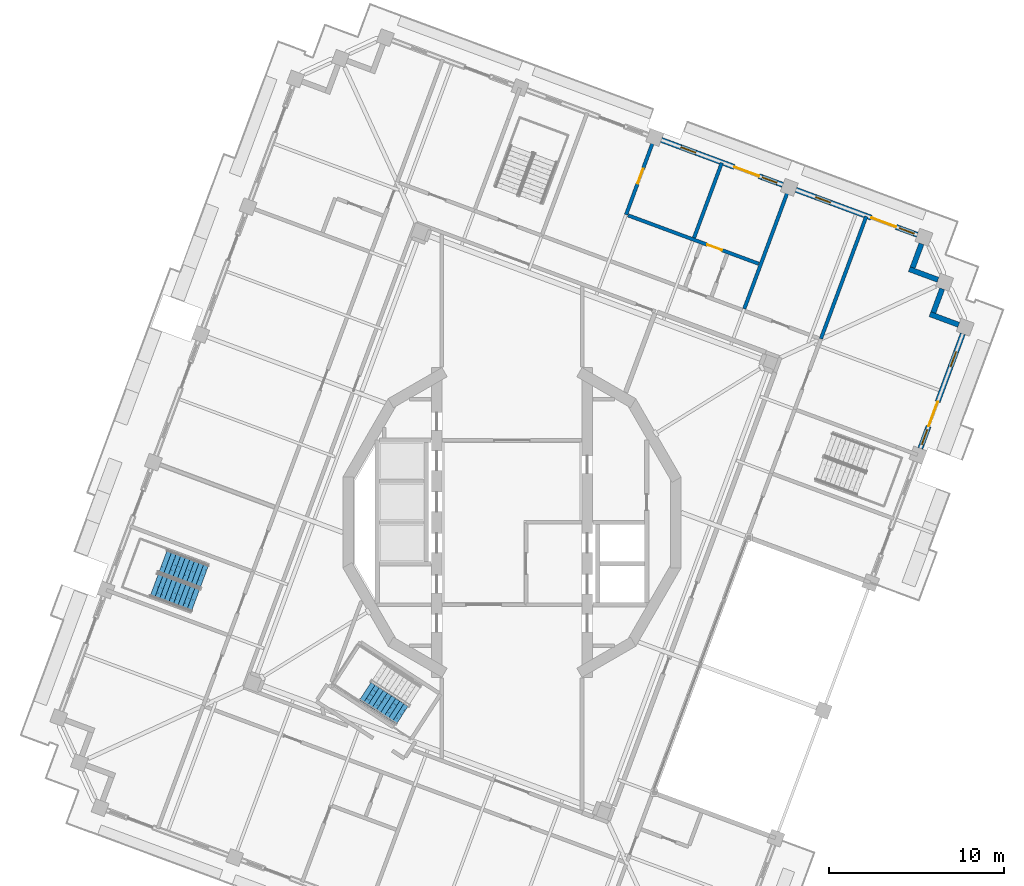
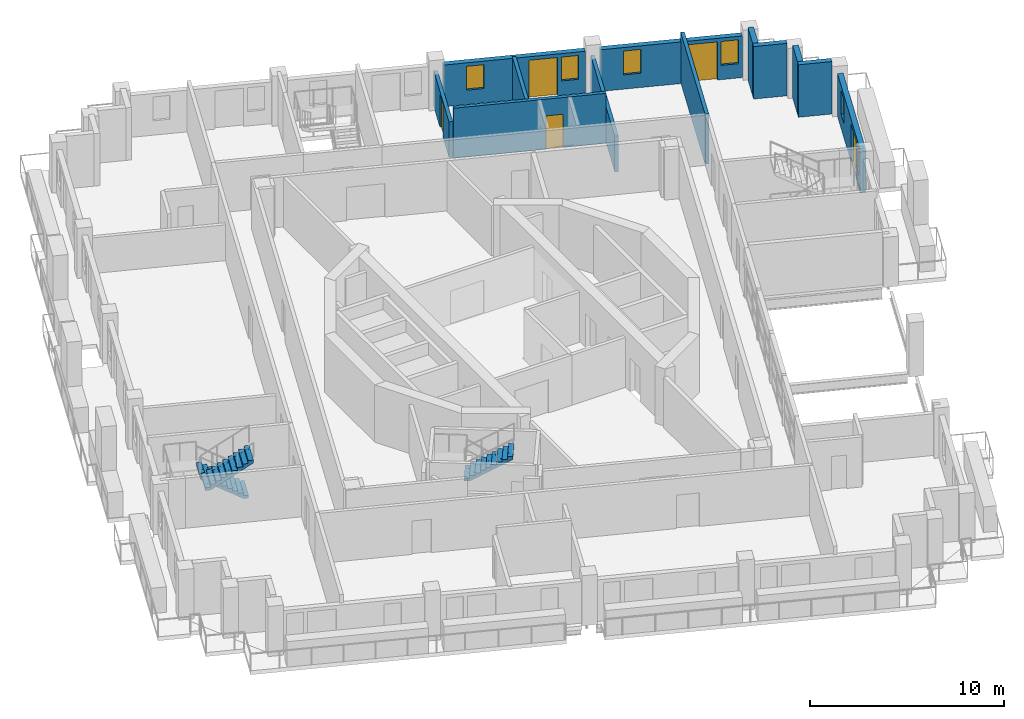
# One storey, part 10 of 19: 12 walls, 6 windows, 5 doors, 3 stair flights, 11 openings, 2 elements without a shape of their own.
"""IFC4 building model written with IfcOpenShell, lengths in metres."""

from ifc_helpers import new_model, si_unit, direction, frame, frame_2d, origin, place, context, subcontext, project, spatial, polyline, rectangle, outline, extrude, material, layer, layer_set, type_object, element, fill, aggregate, save


model = new_model("IFC4")

# Units and contexts
model_context = context("Model", 3, precision=1e-05, world=origin(), true_north=direction((0.0, 1.0)))
body_context = subcontext(model_context, "Body", "Model", "MODEL_VIEW")
ifc_project = project(units=[si_unit("LENGTHUNIT", "METRE"), si_unit("AREAUNIT", "SQUARE_METRE"), si_unit("VOLUMEUNIT", "CUBIC_METRE"), si_unit("PLANEANGLEUNIT", "RADIAN"), si_unit("MASSUNIT", "GRAM", prefix="KILO")], contexts=[model_context])

# Site, building, storey
site_placement = place(None, origin())
site = spatial("IfcSite", under=ifc_project, at=site_placement, CompositionType="ELEMENT")
building_placement = place(site_placement, origin())
building = spatial("IfcBuilding", under=site, at=building_placement, Name="Cantera Rosa Tower", CompositionType="ELEMENT")
storey_placement = place(building_placement, frame((0.0, 0.0, 342.10009765625)))
storey = spatial("IfcBuildingStorey", under=building, at=storey_placement, Name="L77", CompositionType="ELEMENT", Elevation=342.10009765625)

# Walls
ifc_material_1 = material(Name="Hollow clay masonry with cantera stone cladding", Category="masonry")
ifc_layer_1 = layer(ifc_material_1, 0.300048828125)
ifc_layer_set_1 = layer_set([ifc_layer_1], Name="EW-LOGGIA 300")
wall_type_1 = type_object("IfcWallType", Name="EW-LOGGIA 300", PredefinedType="SOLIDWALL", material=ifc_layer_set_1)
wall_1_placement = place(storey_placement, frame((25.51220703125, 11.288330078125, 0.0), z_axis=(0.0, 0.0, 1.0), x_axis=(-0.937669639538, 0.34752790836, 0.0)))
element("IfcWall", 1, at=wall_1_placement, inside=storey, type_object=wall_type_1, Name="EN-L77-W25a", PredefinedType="SOLIDWALL", context=body_context, shape_type="SweptSolid", body=[
    extrude(rectangle(XDim=1.75, YDim=0.300048828125, at=frame_2d((0.875, 0.0))), origin(), (0.0, 0.0, 1.0), 3.2998046875),
])
wall_2_placement = place(storey_placement, frame((24.06396484375, 11.985107421875, 0.0), z_axis=(0.0, 0.0, 1.0), x_axis=(0.347522732201, 0.937671557958, 0.0)))
element("IfcWall", 2, at=wall_2_placement, inside=storey, type_object=wall_type_1, Name="EN-L77-W25b", PredefinedType="SOLIDWALL", context=body_context, shape_type="SweptSolid", body=[
    extrude(rectangle(XDim=1.449951171875, YDim=0.300048828125, at=frame_2d((0.72509765625, 0.0))), origin(), (0.0, 0.0, 1.0), 3.2998046875),
])
wall_3_placement = place(storey_placement, frame((24.331787109375, 13.858642578125, 0.0), z_axis=(0.0, 0.0, 1.0), x_axis=(-0.937669639538, 0.34752790836, 0.0)))
element("IfcWall", 3, at=wall_3_placement, inside=storey, type_object=wall_type_1, Name="EN-L77-W26a", PredefinedType="SOLIDWALL", context=body_context, shape_type="SweptSolid", body=[
    extrude(rectangle(XDim=1.75, YDim=0.300048828125, at=frame_2d((0.875, 0.0))), origin(), (0.0, 0.0, 1.0), 3.2998046875),
])
wall_4_placement = place(storey_placement, frame((22.883544921875, 14.555419921875, 0.0), z_axis=(0.0, 0.0, 1.0), x_axis=(0.347522732201, 0.937671557958, 0.0)))
element("IfcWall", 4, at=wall_4_placement, inside=storey, type_object=wall_type_1, Name="EN-L77-W26b", PredefinedType="SOLIDWALL", context=body_context, shape_type="SweptSolid", body=[
    extrude(rectangle(XDim=1.449951171875, YDim=0.300048828125, at=frame_2d((0.72509765625, 0.0))), origin(), (0.0, 0.0, 1.0), 3.2998046875),
])

# Wall, openings, windows, door
ifc_material_2 = material(Name="Hollow clay masonry with cantera stone cladding", Category="masonry")
ifc_layer_2 = layer(ifc_material_2, 0.300048828125)
ifc_layer_set_2 = layer_set([ifc_layer_2], Name="EW-LOGGIA 300 H2620")
wall_type_2 = type_object("IfcWallType", Name="EW-LOGGIA 300 H2620", PredefinedType="SOLIDWALL", material=ifc_layer_set_2)
wall_5_placement = place(storey_placement, frame((23.1513671875, 16.428955078125, 0.0), z_axis=(0.0, 0.0, 1.0), x_axis=(-0.937676706507, 0.347508840281, 0.0)))
wall_5 = element("IfcWall", 5, at=wall_5_placement, inside=storey, type_object=wall_type_2, Name="EN-L77-W01", PredefinedType="SOLIDWALL", context=body_context, shape_type="SweptSolid", body=[
    extrude(rectangle(XDim=7.39990234375, YDim=0.300048828125, at=frame_2d((3.699951171875, 0.0))), origin(), (0.0, 0.0, 1.0), 2.619873046875),
])
opening_1_placement = place(wall_5_placement, frame((0.199951171875, 0.0, 0.89990234375)))
opening_1 = element("IfcOpeningElement", 6, at=opening_1_placement, cuts=wall_5, Name="Opening L77-W01", PredefinedType="OPENING", context=body_context, shape_type="SweptSolid", body=[
    extrude(rectangle(XDim=0.89990234375, YDim=1.5, at=frame_2d((0.449951171875, 0.75))), frame((0.0, 0.159912109375, 0.0), z_axis=(0.0, -1.0, 0.0), x_axis=(1.0, 0.0, 0.0)), (0.0, 0.0, 1.0), 0.320068359375),
])
opening_2_placement = place(wall_5_placement, frame((1.300048828125, 0.0, 0.0)))
opening_2 = element("IfcOpeningElement", 7, at=opening_2_placement, cuts=wall_5, Name="Opening L77-TD02", PredefinedType="OPENING", context=body_context, shape_type="SweptSolid", body=[
    extrude(rectangle(XDim=1.5, YDim=2.39990234375, at=frame_2d((0.75, 1.199951171875))), frame((0.0, 0.159912109375, 0.0), z_axis=(0.0, -1.0, 0.0), x_axis=(1.0, 0.0, 0.0)), (0.0, 0.0, 1.0), 0.320068359375),
])
opening_3_placement = place(wall_5_placement, frame((5.300048828125, 0.0, 0.89990234375)))
opening_3 = element("IfcOpeningElement", 8, at=opening_3_placement, cuts=wall_5, Name="Opening L77-W03", PredefinedType="OPENING", context=body_context, shape_type="SweptSolid", body=[
    extrude(rectangle(XDim=0.89990234375, YDim=1.5, at=frame_2d((0.449951171875, 0.75))), frame((0.0, 0.159912109375, 0.0), z_axis=(0.0, -1.0, 0.0), x_axis=(1.0, 0.0, 0.0)), (0.0, 0.0, 1.0), 0.320068359375),
])
ifc_material_3 = material(Name="Aluminium frame with clear glass", Category="aluminium")
window_type = type_object("IfcWindowType", Name="Residential window 900x1500", PartitioningType="SINGLE_PANEL", PredefinedType="WINDOW", material=ifc_material_3)
window_1_placement = place(opening_1_placement, origin())
window_1 = element("IfcWindow", 9, at=window_1_placement, inside=storey, type_object=window_type, Name="WINDOW L77-W01", OverallHeight=1.5, OverallWidth=0.89990234375, PartitioningType="SINGLE_PANEL", PredefinedType="WINDOW", context=body_context, shape_type="SweptSolid", body=[
    extrude(rectangle(XDim=0.89990234375, YDim=1.5, at=frame_2d((0.449951171875, 0.75))), frame((0.0, 0.030029296875, 0.0), z_axis=(0.0, -1.0, 0.0), x_axis=(1.0, 0.0, 0.0)), (0.0, 0.0, 1.0), 0.06005859375),
])
fill(opening_1, window_1)
window_2_placement = place(opening_3_placement, origin())
window_2 = element("IfcWindow", 10, at=window_2_placement, inside=storey, type_object=window_type, Name="WINDOW L77-W03", OverallHeight=1.5, OverallWidth=0.89990234375, PartitioningType="SINGLE_PANEL", PredefinedType="WINDOW", context=body_context, shape_type="SweptSolid", body=[
    extrude(rectangle(XDim=0.89990234375, YDim=1.5, at=frame_2d((0.449951171875, 0.75))), frame((0.0, 0.030029296875, 0.0), z_axis=(0.0, -1.0, 0.0), x_axis=(1.0, 0.0, 0.0)), (0.0, 0.0, 1.0), 0.06005859375),
])
fill(opening_3, window_2)
ifc_material_4 = material(Name="Aluminium frame with clear glass", Category="aluminium")
door_type_1 = type_object("IfcDoorType", Name="TD-R 1500x2400", OperationType="NOTDEFINED", PredefinedType="DOOR", material=ifc_material_4)
door_1_placement = place(opening_2_placement, origin())
door_1 = element("IfcDoor", 11, at=door_1_placement, inside=storey, type_object=door_type_1, Name="LOGGIA DOOR L77-TD02", OperationType="SLIDING_TO_LEFT", OverallHeight=2.39990234375, OverallWidth=1.5, PredefinedType="DOOR", context=body_context, shape_type="SweptSolid", body=[
    extrude(rectangle(XDim=1.5, YDim=2.39990234375, at=frame_2d((0.75, 1.199951171875))), frame((0.0, 0.02490234375, 0.0), z_axis=(0.0, -1.0, 0.0), x_axis=(1.0, 0.0, 0.0)), (0.0, 0.0, 1.0), 0.050048828125),
])
fill(opening_2, door_1)

wall_6_placement = place(storey_placement, frame((15.46240234375, 19.2783203125, 0.0), z_axis=(0.0, 0.0, 1.0), x_axis=(-0.937680690562, 0.34749808999, 0.0)))
wall_6 = element("IfcWall", 12, at=wall_6_placement, inside=storey, type_object=wall_type_2, Name="EN-L77-W02", PredefinedType="SOLIDWALL", context=body_context, shape_type="SweptSolid", body=[
    extrude(rectangle(XDim=7.400146484375, YDim=0.300048828125, at=frame_2d((3.7001953125, 0.0))), origin(), (0.0, 0.0, 1.0), 2.619873046875),
])
opening_4_placement = place(wall_6_placement, frame((0.35009765625, 0.0, 0.89990234375)))
opening_4 = element("IfcOpeningElement", 13, at=opening_4_placement, cuts=wall_6, Name="Opening L77-W04", PredefinedType="OPENING", context=body_context, shape_type="SweptSolid", body=[
    extrude(rectangle(XDim=0.89990234375, YDim=1.5, at=frame_2d((0.449951171875, 0.75))), frame((0.0, 0.159912109375, 0.0), z_axis=(0.0, -1.0, 0.0), x_axis=(1.0, 0.0, 0.0)), (0.0, 0.0, 1.0), 0.320068359375),
])
opening_5_placement = place(wall_6_placement, frame((1.449951171875, 0.0, 0.0)))
opening_5 = element("IfcOpeningElement", 14, at=opening_5_placement, cuts=wall_6, Name="Opening L77-TD05", PredefinedType="OPENING", context=body_context, shape_type="SweptSolid", body=[
    extrude(rectangle(XDim=1.5, YDim=2.39990234375, at=frame_2d((0.75, 1.199951171875))), frame((0.0, 0.159912109375, 0.0), z_axis=(0.0, -1.0, 0.0), x_axis=(1.0, 0.0, 0.0)), (0.0, 0.0, 1.0), 0.320068359375),
])
opening_6_placement = place(wall_6_placement, frame((5.300048828125, 0.0, 0.89990234375)))
opening_6 = element("IfcOpeningElement", 15, at=opening_6_placement, cuts=wall_6, Name="Opening L77-W06", PredefinedType="OPENING", context=body_context, shape_type="SweptSolid", body=[
    extrude(rectangle(XDim=0.89990234375, YDim=1.5, at=frame_2d((0.449951171875, 0.75))), frame((0.0, 0.159912109375, 0.0), z_axis=(0.0, -1.0, 0.0), x_axis=(1.0, 0.0, 0.0)), (0.0, 0.0, 1.0), 0.320068359375),
])
window_3_placement = place(opening_4_placement, origin())
window_3 = element("IfcWindow", 16, at=window_3_placement, inside=storey, type_object=window_type, Name="WINDOW L77-W04", OverallHeight=1.5, OverallWidth=0.89990234375, PartitioningType="SINGLE_PANEL", PredefinedType="WINDOW", context=body_context, shape_type="SweptSolid", body=[
    extrude(rectangle(XDim=0.89990234375, YDim=1.5, at=frame_2d((0.449951171875, 0.75))), frame((0.0, 0.030029296875, 0.0), z_axis=(0.0, -1.0, 0.0), x_axis=(1.0, 0.0, 0.0)), (0.0, 0.0, 1.0), 0.06005859375),
])
fill(opening_4, window_3)
window_4_placement = place(opening_6_placement, origin())
window_4 = element("IfcWindow", 17, at=window_4_placement, inside=storey, type_object=window_type, Name="WINDOW L77-W06", OverallHeight=1.5, OverallWidth=0.89990234375, PartitioningType="SINGLE_PANEL", PredefinedType="WINDOW", context=body_context, shape_type="SweptSolid", body=[
    extrude(rectangle(XDim=0.89990234375, YDim=1.5, at=frame_2d((0.449951171875, 0.75))), frame((0.0, 0.030029296875, 0.0), z_axis=(0.0, -1.0, 0.0), x_axis=(1.0, 0.0, 0.0)), (0.0, 0.0, 1.0), 0.06005859375),
])
fill(opening_6, window_4)
door_2_placement = place(opening_5_placement, origin())
door_2 = element("IfcDoor", 18, at=door_2_placement, inside=storey, type_object=door_type_1, Name="LOGGIA DOOR L77-TD05", OperationType="SLIDING_TO_LEFT", OverallHeight=2.39990234375, OverallWidth=1.5, PredefinedType="DOOR", context=body_context, shape_type="SweptSolid", body=[
    extrude(rectangle(XDim=1.5, YDim=2.39990234375, at=frame_2d((0.75, 1.199951171875))), frame((0.0, 0.02490234375, 0.0), z_axis=(0.0, -1.0, 0.0), x_axis=(1.0, 0.0, 0.0)), (0.0, 0.0, 1.0), 0.050048828125),
])
fill(opening_5, door_2)

ifc_material_5 = material(Name="Hollow clay masonry with cantera stone cladding", Category="masonry")
ifc_layer_3 = layer(ifc_material_5, 0.300048828125)
ifc_layer_set_3 = layer_set([ifc_layer_3], Name="EW-LOGGIA 300 H2690")
wall_type_3 = type_object("IfcWallType", Name="EW-LOGGIA 300 H2690", PredefinedType="SOLIDWALL", material=ifc_layer_set_3)
wall_7_placement = place(storey_placement, frame((23.322998046875, 4.229248046875, 0.0), z_axis=(0.0, 0.0, 1.0), x_axis=(0.347460165909, 0.937694744097, 0.0)))
wall_7 = element("IfcWall", 19, at=wall_7_placement, inside=storey, type_object=wall_type_3, Name="EN-L77-W24", PredefinedType="SOLIDWALL", context=body_context, shape_type="SweptSolid", body=[
    extrude(rectangle(XDim=6.97998046875, YDim=0.300048828125, at=frame_2d((3.489990234375, 0.0))), origin(), (0.0, 0.0, 1.0), 2.68994140625),
])
opening_7_placement = place(wall_7_placement, frame((0.2451171875, 0.0, 0.89990234375)))
opening_7 = element("IfcOpeningElement", 20, at=opening_7_placement, cuts=wall_7, Name="Opening L77-W46", PredefinedType="OPENING", context=body_context, shape_type="SweptSolid", body=[
    extrude(rectangle(XDim=0.89990234375, YDim=1.5, at=frame_2d((0.449951171875, 0.75))), frame((0.0, 0.159912109375, 0.0), z_axis=(0.0, -1.0, 0.0), x_axis=(1.0, 0.0, 0.0)), (0.0, 0.0, 1.0), 0.320068359375),
])
opening_8_placement = place(wall_7_placement, frame((1.344970703125, 0.0, 0.0)))
opening_8 = element("IfcOpeningElement", 21, at=opening_8_placement, cuts=wall_7, Name="Opening L77-TD47", PredefinedType="OPENING", context=body_context, shape_type="SweptSolid", body=[
    extrude(rectangle(XDim=1.5, YDim=2.39990234375, at=frame_2d((0.75, 1.199951171875))), frame((0.0, 0.159912109375, 0.0), z_axis=(0.0, -1.0, 0.0), x_axis=(1.0, 0.0, 0.0)), (0.0, 0.0, 1.0), 0.320068359375),
])
opening_9_placement = place(wall_7_placement, frame((4.985107421875, 0.0, 0.89990234375)))
opening_9 = element("IfcOpeningElement", 22, at=opening_9_placement, cuts=wall_7, Name="Opening L77-W48", PredefinedType="OPENING", context=body_context, shape_type="SweptSolid", body=[
    extrude(rectangle(XDim=0.89990234375, YDim=1.5, at=frame_2d((0.449951171875, 0.75))), frame((0.0, 0.159912109375, 0.0), z_axis=(0.0, -1.0, 0.0), x_axis=(1.0, 0.0, 0.0)), (0.0, 0.0, 1.0), 0.320068359375),
])
window_5_placement = place(opening_7_placement, origin())
window_5 = element("IfcWindow", 23, at=window_5_placement, inside=storey, type_object=window_type, Name="WINDOW L77-W46", OverallHeight=1.5, OverallWidth=0.89990234375, PartitioningType="SINGLE_PANEL", PredefinedType="WINDOW", context=body_context, shape_type="SweptSolid", body=[
    extrude(rectangle(XDim=0.89990234375, YDim=1.5, at=frame_2d((0.449951171875, 0.75))), frame((0.0, 0.030029296875, 0.0), z_axis=(0.0, -1.0, 0.0), x_axis=(1.0, 0.0, 0.0)), (0.0, 0.0, 1.0), 0.06005859375),
])
fill(opening_7, window_5)
window_6_placement = place(opening_9_placement, origin())
window_6 = element("IfcWindow", 24, at=window_6_placement, inside=storey, type_object=window_type, Name="WINDOW L77-W48", OverallHeight=1.5, OverallWidth=0.89990234375, PartitioningType="SINGLE_PANEL", PredefinedType="WINDOW", context=body_context, shape_type="SweptSolid", body=[
    extrude(rectangle(XDim=0.89990234375, YDim=1.5, at=frame_2d((0.449951171875, 0.75))), frame((0.0, 0.030029296875, 0.0), z_axis=(0.0, -1.0, 0.0), x_axis=(1.0, 0.0, 0.0)), (0.0, 0.0, 1.0), 0.06005859375),
])
fill(opening_9, window_6)
door_3_placement = place(opening_8_placement, origin())
door_3 = element("IfcDoor", 25, at=door_3_placement, inside=storey, type_object=door_type_1, Name="LOGGIA DOOR L77-TD47", OperationType="SLIDING_TO_LEFT", OverallHeight=2.39990234375, OverallWidth=1.5, PredefinedType="DOOR", context=body_context, shape_type="SweptSolid", body=[
    extrude(rectangle(XDim=1.5, YDim=2.39990234375, at=frame_2d((0.75, 1.199951171875))), frame((0.0, 0.02490234375, 0.0), z_axis=(0.0, -1.0, 0.0), x_axis=(1.0, 0.0, 0.0)), (0.0, 0.0, 1.0), 0.050048828125),
])
fill(opening_8, door_3)

# Wall, opening, door
ifc_material_6 = material(Name="Gypsum board partition")
ifc_layer_4 = layer(ifc_material_6, 0.199951171875)
ifc_layer_set_4 = layer_set([ifc_layer_4], Name="PARTITION 200 H2250")
wall_type_4 = type_object("IfcWallType", Name="PARTITION 200 H2250", PredefinedType="PARTITIONING", material=ifc_layer_set_4)
wall_8_placement = place(storey_placement, frame((6.515380859375, 17.58154296875, 0.0), z_axis=(0.0, 0.0, 1.0), x_axis=(0.347436943517, 0.937703348762, 0.0)))
wall_8 = element("IfcWall", 26, at=wall_8_placement, inside=storey, type_object=wall_type_4, Name="PARTITION L77-070", PredefinedType="PARTITIONING", context=body_context, shape_type="SweptSolid", body=[
    extrude(rectangle(XDim=4.670166015625, YDim=0.199951171875, at=frame_2d((2.3349609375, 0.0))), origin(), (0.0, 0.0, 1.0), 2.25),
])
opening_10_placement = place(wall_8_placement, frame((1.89990234375, 0.0, 0.0)))
opening_10 = element("IfcOpeningElement", 27, at=opening_10_placement, cuts=wall_8, Name="Opening L77-024", PredefinedType="OPENING", context=body_context, shape_type="SweptSolid", body=[
    extrude(rectangle(XDim=0.89990234375, YDim=2.10009765625, at=frame_2d((0.449951171875, 1.050048828125))), frame((0.0, 0.10986328125, 0.0), z_axis=(0.0, -1.0, 0.0), x_axis=(1.0, 0.0, 0.0)), (0.0, 0.0, 1.0), 0.219970703125),
])
ifc_material_7 = material(Name="Timber door leaf", Category="wood")
door_type_2 = type_object("IfcDoorType", Name="ROOM DOOR 900x2100", OperationType="NOTDEFINED", PredefinedType="DOOR", material=ifc_material_7)
door_4_placement = place(opening_10_placement, origin())
door_4 = element("IfcDoor", 28, at=door_4_placement, inside=storey, type_object=door_type_2, Name="DOOR L77-024", OperationType="NOTDEFINED", OverallHeight=2.10009765625, OverallWidth=0.89990234375, PredefinedType="DOOR", context=body_context, shape_type="SweptSolid", body=[
    extrude(rectangle(XDim=0.89990234375, YDim=2.10009765625, at=frame_2d((0.449951171875, 1.050048828125))), frame((0.0, 0.02490234375, 0.0), z_axis=(0.0, -1.0, 0.0), x_axis=(1.0, 0.0, 0.0)), (0.0, 0.0, 1.0), 0.050048828125),
])
fill(opening_10, door_4)

# Wall
ifc_material_8 = material(Name="Gypsum board partition")
ifc_layer_5 = layer(ifc_material_8, 0.199951171875)
ifc_layer_set_5 = layer_set([ifc_layer_5], Name="PARTITION 200 H2650")
wall_type_5 = type_object("IfcWallType", Name="PARTITION 200 H2650", PredefinedType="PARTITIONING", material=ifc_layer_set_5)
wall_9_placement = place(storey_placement, frame((10.39453125, 16.250732421875, 0.0), z_axis=(0.0, 0.0, 1.0), x_axis=(0.347467468938, 0.937692037947, 0.0)))
element("IfcWall", 29, at=wall_9_placement, inside=storey, type_object=wall_type_5, Name="PARTITION L77-083", PredefinedType="PARTITIONING", context=body_context, shape_type="SweptSolid", body=[
    extrude(rectangle(XDim=4.56982421875, YDim=0.199951171875, at=frame_2d((2.284912109375, 0.0))), origin(), (0.0, 0.0, 1.0), 2.64990234375),
])

# Wall, opening, door
ifc_material_9 = material(Name="Gypsum board partition")
ifc_layer_6 = layer(ifc_material_9, 0.199951171875)
ifc_layer_set_6 = layer_set([ifc_layer_6], Name="PARTITION 200 H3150")
wall_type_6 = type_object("IfcWallType", Name="PARTITION 200 H3150", PredefinedType="PARTITIONING", material=ifc_layer_set_6)
wall_10_placement = place(storey_placement, frame((14.091796875, 14.77392578125, 0.0), z_axis=(0.0, 0.0, 1.0), x_axis=(-0.937692142705, 0.347467186233, 0.0)))
wall_10 = element("IfcWall", 30, at=wall_10_placement, inside=storey, type_object=wall_type_6, Name="PARTITION L77-088", PredefinedType="PARTITIONING", context=body_context, shape_type="SweptSolid", body=[
    extrude(rectangle(XDim=7.960205078125, YDim=0.199951171875, at=frame_2d((3.97998046875, 0.0))), origin(), (0.0, 0.0, 1.0), 3.14990234375),
])
opening_11_placement = place(wall_10_placement, frame((2.22998046875, 0.0, 0.0)))
opening_11 = element("IfcOpeningElement", 31, at=opening_11_placement, cuts=wall_10, Name="Opening L77-023", PredefinedType="OPENING", context=body_context, shape_type="SweptSolid", body=[
    extrude(rectangle(XDim=0.89990234375, YDim=2.10009765625, at=frame_2d((0.449951171875, 1.050048828125))), frame((0.0, 0.10986328125, 0.0), z_axis=(0.0, -1.0, 0.0), x_axis=(1.0, 0.0, 0.0)), (0.0, 0.0, 1.0), 0.219970703125),
])
door_5_placement = place(opening_11_placement, origin())
door_5 = element("IfcDoor", 32, at=door_5_placement, inside=storey, type_object=door_type_2, Name="DOOR L77-023", OperationType="NOTDEFINED", OverallHeight=2.10009765625, OverallWidth=0.89990234375, PredefinedType="DOOR", context=body_context, shape_type="SweptSolid", body=[
    extrude(rectangle(XDim=0.89990234375, YDim=2.10009765625, at=frame_2d((0.449951171875, 1.050048828125))), frame((0.0, 0.02490234375, 0.0), z_axis=(0.0, -1.0, 0.0), x_axis=(1.0, 0.0, 0.0)), (0.0, 0.0, 1.0), 0.050048828125),
])
fill(opening_11, door_5)

# Walls
wall_11_placement = place(storey_placement, frame((20.234130859375, 17.47802734375, 0.0), z_axis=(0.0, 0.0, 1.0), x_axis=(-0.347475519739, -0.937689054635, 0.0)))
element("IfcWall", 33, at=wall_11_placement, inside=storey, type_object=wall_type_6, Name="PARTITION L77-097", PredefinedType="PARTITIONING", context=body_context, shape_type="SweptSolid", body=[
    extrude(rectangle(XDim=7.44970703125, YDim=0.199951171875, at=frame_2d((3.724853515625, 0.0))), origin(), (0.0, 0.0, 1.0), 3.14990234375),
])
ifc_material_10 = material(Name="Gypsum board partition")
ifc_layer_7 = layer(ifc_material_10, 0.199951171875)
ifc_layer_set_7 = layer_set([ifc_layer_7], Name="PARTY WALL 200 H2250")
wall_type_7 = type_object("IfcWallType", Name="PARTY WALL 200 H2250", PredefinedType="PARTITIONING", material=ifc_layer_set_7)
wall_12_placement = place(storey_placement, frame((13.26611328125, 12.200439453125, 0.0), z_axis=(0.0, 0.0, 1.0), x_axis=(0.347457844161, 0.937695604411, 0.0)))
element("IfcWall", 34, at=wall_12_placement, inside=storey, type_object=wall_type_7, Name="PARTY WALL L77-086", PredefinedType="PARTITIONING", context=body_context, shape_type="SweptSolid", body=[
    extrude(rectangle(XDim=7.3701171875, YDim=0.199951171875, at=frame_2d((3.68505859375, 0.0))), origin(), (0.0, 0.0, 1.0), 2.25),
])

# Stair, stair flight
ifc_material_11 = material(Name="Concrete C35/45", Category="concrete")
stair_type_1 = type_object("IfcStairType", Name="EXIT STAIR 1200 DOGLEG", PredefinedType="HALF_TURN_STAIR", material=ifc_material_11)
stair_1_placement = place(storey_placement, origin())
stair_1 = element("IfcStair", 35, at=stair_1_placement, inside=storey, type_object=stair_type_1, Name="L77 ST-64", PredefinedType="HALF_TURN_STAIR")
ifc_material_12 = material(Name="Concrete C35/45", Category="concrete")
stair_flight_type_1 = type_object("IfcStairFlightType", Name="STAIR FLIGHT 1200 R20x180", PredefinedType="STRAIGHT", material=ifc_material_12)
stair_flight_1_placement = place(storey_placement, frame((-8.381103515625, -9.6376953125, 1.7998046875), z_axis=(0.0, 0.0, 1.0), x_axis=(0.838670567945, -0.544639035015, 0.0)))
stair_flight_1 = element("IfcStairFlight", 36, at=stair_flight_1_placement, type_object=stair_flight_type_1, Name="ST-64 flight 2", NumberOfRisers=10, NumberOfTreads=9, PredefinedType="STRAIGHT", RiserHeight=0.18, TreadLength=0.28, context=body_context, shape_type="SweptSolid", body=[
    extrude(outline(polyline([(0.0, 0.0), (0.0, 0.179931640625), (0.280029296875, 0.179931640625), (0.280029296875, 0.360107421875), (0.56005859375, 0.360107421875), (0.56005859375, 0.5400390625), (0.840087890625, 0.5400390625), (0.840087890625, 0.719970703125), (1.1201171875, 0.719970703125), (1.1201171875, 0.89990234375), (1.39990234375, 0.89990234375), (1.39990234375, 1.080078125), (1.679931640625, 1.080078125), (1.679931640625, 1.260009765625), (1.9599609375, 1.260009765625), (1.9599609375, 1.43994140625), (2.239990234375, 1.43994140625), (2.239990234375, 1.6201171875), (2.52001953125, 1.6201171875), (2.52001953125, 1.800048828125), (2.52001953125, 1.44189453125), (0.277099609375, 0.0), (0.0, 0.0)])), frame((0.0, 0.60009765625, 0.0), z_axis=(0.0, -1.0, 0.0), x_axis=(1.0, 0.0, 0.0)), (0.0, 0.0, 1.0), 0.298583984375),
    extrude(outline(polyline([(0.0, 0.0), (0.0, 0.179931640625), (0.280029296875, 0.179931640625), (0.280029296875, 0.360107421875), (0.56005859375, 0.360107421875), (0.56005859375, 0.5400390625), (0.840087890625, 0.5400390625), (0.840087890625, 0.719970703125), (1.1201171875, 0.719970703125), (1.1201171875, 0.89990234375), (1.39990234375, 0.89990234375), (1.39990234375, 1.080078125), (1.679931640625, 1.080078125), (1.679931640625, 1.260009765625), (1.9599609375, 1.260009765625), (1.9599609375, 1.43994140625), (2.239990234375, 1.43994140625), (2.239990234375, 1.6201171875), (2.52001953125, 1.6201171875), (2.52001953125, 1.800048828125), (2.52001953125, 1.44189453125), (0.277099609375, 0.0), (0.0, 0.0)])), frame((0.0, 0.29931640625, 0.0), z_axis=(0.0, -1.0, 0.0), x_axis=(1.0, 0.0, 0.0)), (0.0, 0.0, 1.0), 0.298583984375),
    extrude(outline(polyline([(0.0, 0.0), (0.0, 0.179931640625), (0.280029296875, 0.179931640625), (0.280029296875, 0.360107421875), (0.56005859375, 0.360107421875), (0.56005859375, 0.5400390625), (0.840087890625, 0.5400390625), (0.840087890625, 0.719970703125), (1.1201171875, 0.719970703125), (1.1201171875, 0.89990234375), (1.39990234375, 0.89990234375), (1.39990234375, 1.080078125), (1.679931640625, 1.080078125), (1.679931640625, 1.260009765625), (1.9599609375, 1.260009765625), (1.9599609375, 1.43994140625), (2.239990234375, 1.43994140625), (2.239990234375, 1.6201171875), (2.52001953125, 1.6201171875), (2.52001953125, 1.800048828125), (2.52001953125, 1.44189453125), (0.277099609375, 0.0), (0.0, 0.0)])), frame((0.0, -0.0009765625, 0.0), z_axis=(0.0, -1.0, 0.0), x_axis=(1.0, 0.0, 0.0)), (0.0, 0.0, 1.0), 0.298583984375),
    extrude(outline(polyline([(0.0, 0.0), (0.0, 0.179931640625), (0.280029296875, 0.179931640625), (0.280029296875, 0.360107421875), (0.56005859375, 0.360107421875), (0.56005859375, 0.5400390625), (0.840087890625, 0.5400390625), (0.840087890625, 0.719970703125), (1.1201171875, 0.719970703125), (1.1201171875, 0.89990234375), (1.39990234375, 0.89990234375), (1.39990234375, 1.080078125), (1.679931640625, 1.080078125), (1.679931640625, 1.260009765625), (1.9599609375, 1.260009765625), (1.9599609375, 1.43994140625), (2.239990234375, 1.43994140625), (2.239990234375, 1.6201171875), (2.52001953125, 1.6201171875), (2.52001953125, 1.800048828125), (2.52001953125, 1.44189453125), (0.277099609375, 0.0), (0.0, 0.0)])), frame((0.0, -0.3017578125, 0.0), z_axis=(0.0, -1.0, 0.0), x_axis=(1.0, 0.0, 0.0)), (0.0, 0.0, 1.0), 0.298583984375),
])
aggregate(stair_1, [stair_flight_1])

# Stair, stair flights
ifc_material_13 = material(Name="Concrete C35/45", Category="concrete")
stair_type_2 = type_object("IfcStairType", Name="EXIT STAIR 1350 DOGLEG", PredefinedType="HALF_TURN_STAIR", material=ifc_material_13)
stair_2_placement = place(storey_placement, origin())
stair_2 = element("IfcStair", 37, at=stair_2_placement, inside=storey, type_object=stair_type_2, Name="L77 ST-63", PredefinedType="HALF_TURN_STAIR")
ifc_material_14 = material(Name="Concrete C35/45", Category="concrete")
stair_flight_type_2 = type_object("IfcStairFlightType", Name="STAIR FLIGHT 1350 R20x180", PredefinedType="STRAIGHT", material=ifc_material_14)
stair_flight_2_placement = place(storey_placement, frame((-17.55908203125, -3.064453125, 0.0), z_axis=(0.0, 0.0, 1.0), x_axis=(-0.937686938944, 0.347481229039, 0.0)))
stair_flight_2 = element("IfcStairFlight", 38, at=stair_flight_2_placement, type_object=stair_flight_type_2, Name="ST-63 flight 1", NumberOfRisers=10, NumberOfTreads=9, PredefinedType="STRAIGHT", RiserHeight=0.18, TreadLength=0.28, context=body_context, shape_type="SweptSolid", body=[
    extrude(outline(polyline([(0.0, 0.0), (0.0, 0.179931640625), (0.280029296875, 0.179931640625), (0.280029296875, 0.360107421875), (0.56005859375, 0.360107421875), (0.56005859375, 0.5400390625), (0.840087890625, 0.5400390625), (0.840087890625, 0.719970703125), (1.1201171875, 0.719970703125), (1.1201171875, 0.89990234375), (1.39990234375, 0.89990234375), (1.39990234375, 1.080078125), (1.679931640625, 1.080078125), (1.679931640625, 1.260009765625), (1.9599609375, 1.260009765625), (1.9599609375, 1.43994140625), (2.239990234375, 1.43994140625), (2.239990234375, 1.6201171875), (2.52001953125, 1.6201171875), (2.52001953125, 1.800048828125), (2.52001953125, 1.44189453125), (0.277099609375, 0.0), (0.0, 0.0)])), frame((0.0, 0.675048828125, 0.0), z_axis=(0.0, -1.0, 0.0), x_axis=(1.0, 0.0, 0.0)), (0.0, 0.0, 1.0), 0.3359375),
    extrude(outline(polyline([(0.0, 0.0), (0.0, 0.179931640625), (0.280029296875, 0.179931640625), (0.280029296875, 0.360107421875), (0.56005859375, 0.360107421875), (0.56005859375, 0.5400390625), (0.840087890625, 0.5400390625), (0.840087890625, 0.719970703125), (1.1201171875, 0.719970703125), (1.1201171875, 0.89990234375), (1.39990234375, 0.89990234375), (1.39990234375, 1.080078125), (1.679931640625, 1.080078125), (1.679931640625, 1.260009765625), (1.9599609375, 1.260009765625), (1.9599609375, 1.43994140625), (2.239990234375, 1.43994140625), (2.239990234375, 1.6201171875), (2.52001953125, 1.6201171875), (2.52001953125, 1.800048828125), (2.52001953125, 1.44189453125), (0.277099609375, 0.0), (0.0, 0.0)])), frame((0.0, 0.337158203125, 0.0), z_axis=(0.0, -1.0, 0.0), x_axis=(1.0, 0.0, 0.0)), (0.0, 0.0, 1.0), 0.3359375),
    extrude(outline(polyline([(0.0, 0.0), (0.0, 0.179931640625), (0.280029296875, 0.179931640625), (0.280029296875, 0.360107421875), (0.56005859375, 0.360107421875), (0.56005859375, 0.5400390625), (0.840087890625, 0.5400390625), (0.840087890625, 0.719970703125), (1.1201171875, 0.719970703125), (1.1201171875, 0.89990234375), (1.39990234375, 0.89990234375), (1.39990234375, 1.080078125), (1.679931640625, 1.080078125), (1.679931640625, 1.260009765625), (1.9599609375, 1.260009765625), (1.9599609375, 1.43994140625), (2.239990234375, 1.43994140625), (2.239990234375, 1.6201171875), (2.52001953125, 1.6201171875), (2.52001953125, 1.800048828125), (2.52001953125, 1.44189453125), (0.277099609375, 0.0), (0.0, 0.0)])), frame((0.0, -0.000732421875, 0.0), z_axis=(0.0, -1.0, 0.0), x_axis=(1.0, 0.0, 0.0)), (0.0, 0.0, 1.0), 0.3359375),
    extrude(outline(polyline([(0.0, 0.0), (0.0, 0.179931640625), (0.280029296875, 0.179931640625), (0.280029296875, 0.360107421875), (0.56005859375, 0.360107421875), (0.56005859375, 0.5400390625), (0.840087890625, 0.5400390625), (0.840087890625, 0.719970703125), (1.1201171875, 0.719970703125), (1.1201171875, 0.89990234375), (1.39990234375, 0.89990234375), (1.39990234375, 1.080078125), (1.679931640625, 1.080078125), (1.679931640625, 1.260009765625), (1.9599609375, 1.260009765625), (1.9599609375, 1.43994140625), (2.239990234375, 1.43994140625), (2.239990234375, 1.6201171875), (2.52001953125, 1.6201171875), (2.52001953125, 1.800048828125), (2.52001953125, 1.44189453125), (0.277099609375, 0.0), (0.0, 0.0)])), frame((0.0, -0.338623046875, 0.0), z_axis=(0.0, -1.0, 0.0), x_axis=(1.0, 0.0, 0.0)), (0.0, 0.0, 1.0), 0.3359375),
])
stair_flight_3_placement = place(storey_placement, frame((-20.443115234375, -3.595458984375, 1.7998046875), z_axis=(0.0, 0.0, 1.0), x_axis=(0.937686938944, -0.347481229039, 0.0)))
stair_flight_3 = element("IfcStairFlight", 39, at=stair_flight_3_placement, type_object=stair_flight_type_2, Name="ST-63 flight 2", NumberOfRisers=10, NumberOfTreads=9, PredefinedType="STRAIGHT", RiserHeight=0.18, TreadLength=0.28, context=body_context, shape_type="SweptSolid", body=[
    extrude(outline(polyline([(0.0, 0.0), (0.0, 0.179931640625), (0.280029296875, 0.179931640625), (0.280029296875, 0.360107421875), (0.56005859375, 0.360107421875), (0.56005859375, 0.5400390625), (0.840087890625, 0.5400390625), (0.840087890625, 0.719970703125), (1.1201171875, 0.719970703125), (1.1201171875, 0.89990234375), (1.39990234375, 0.89990234375), (1.39990234375, 1.080078125), (1.679931640625, 1.080078125), (1.679931640625, 1.260009765625), (1.9599609375, 1.260009765625), (1.9599609375, 1.43994140625), (2.239990234375, 1.43994140625), (2.239990234375, 1.6201171875), (2.52001953125, 1.6201171875), (2.52001953125, 1.800048828125), (2.52001953125, 1.44189453125), (0.277099609375, 0.0), (0.0, 0.0)])), frame((0.0, 0.675048828125, 0.0), z_axis=(0.0, -1.0, 0.0), x_axis=(1.0, 0.0, 0.0)), (0.0, 0.0, 1.0), 0.3359375),
    extrude(outline(polyline([(0.0, 0.0), (0.0, 0.179931640625), (0.280029296875, 0.179931640625), (0.280029296875, 0.360107421875), (0.56005859375, 0.360107421875), (0.56005859375, 0.5400390625), (0.840087890625, 0.5400390625), (0.840087890625, 0.719970703125), (1.1201171875, 0.719970703125), (1.1201171875, 0.89990234375), (1.39990234375, 0.89990234375), (1.39990234375, 1.080078125), (1.679931640625, 1.080078125), (1.679931640625, 1.260009765625), (1.9599609375, 1.260009765625), (1.9599609375, 1.43994140625), (2.239990234375, 1.43994140625), (2.239990234375, 1.6201171875), (2.52001953125, 1.6201171875), (2.52001953125, 1.800048828125), (2.52001953125, 1.44189453125), (0.277099609375, 0.0), (0.0, 0.0)])), frame((0.0, 0.337158203125, 0.0), z_axis=(0.0, -1.0, 0.0), x_axis=(1.0, 0.0, 0.0)), (0.0, 0.0, 1.0), 0.3359375),
    extrude(outline(polyline([(0.0, 0.0), (0.0, 0.179931640625), (0.280029296875, 0.179931640625), (0.280029296875, 0.360107421875), (0.56005859375, 0.360107421875), (0.56005859375, 0.5400390625), (0.840087890625, 0.5400390625), (0.840087890625, 0.719970703125), (1.1201171875, 0.719970703125), (1.1201171875, 0.89990234375), (1.39990234375, 0.89990234375), (1.39990234375, 1.080078125), (1.679931640625, 1.080078125), (1.679931640625, 1.260009765625), (1.9599609375, 1.260009765625), (1.9599609375, 1.43994140625), (2.239990234375, 1.43994140625), (2.239990234375, 1.6201171875), (2.52001953125, 1.6201171875), (2.52001953125, 1.800048828125), (2.52001953125, 1.44189453125), (0.277099609375, 0.0), (0.0, 0.0)])), frame((0.0, -0.000732421875, 0.0), z_axis=(0.0, -1.0, 0.0), x_axis=(1.0, 0.0, 0.0)), (0.0, 0.0, 1.0), 0.3359375),
    extrude(outline(polyline([(0.0, 0.0), (0.0, 0.179931640625), (0.280029296875, 0.179931640625), (0.280029296875, 0.360107421875), (0.56005859375, 0.360107421875), (0.56005859375, 0.5400390625), (0.840087890625, 0.5400390625), (0.840087890625, 0.719970703125), (1.1201171875, 0.719970703125), (1.1201171875, 0.89990234375), (1.39990234375, 0.89990234375), (1.39990234375, 1.080078125), (1.679931640625, 1.080078125), (1.679931640625, 1.260009765625), (1.9599609375, 1.260009765625), (1.9599609375, 1.43994140625), (2.239990234375, 1.43994140625), (2.239990234375, 1.6201171875), (2.52001953125, 1.6201171875), (2.52001953125, 1.800048828125), (2.52001953125, 1.44189453125), (0.277099609375, 0.0), (0.0, 0.0)])), frame((0.0, -0.338623046875, 0.0), z_axis=(0.0, -1.0, 0.0), x_axis=(1.0, 0.0, 0.0)), (0.0, 0.0, 1.0), 0.3359375),
])
aggregate(stair_2, [stair_flight_2, stair_flight_3])

save(model, "model.ifc")
